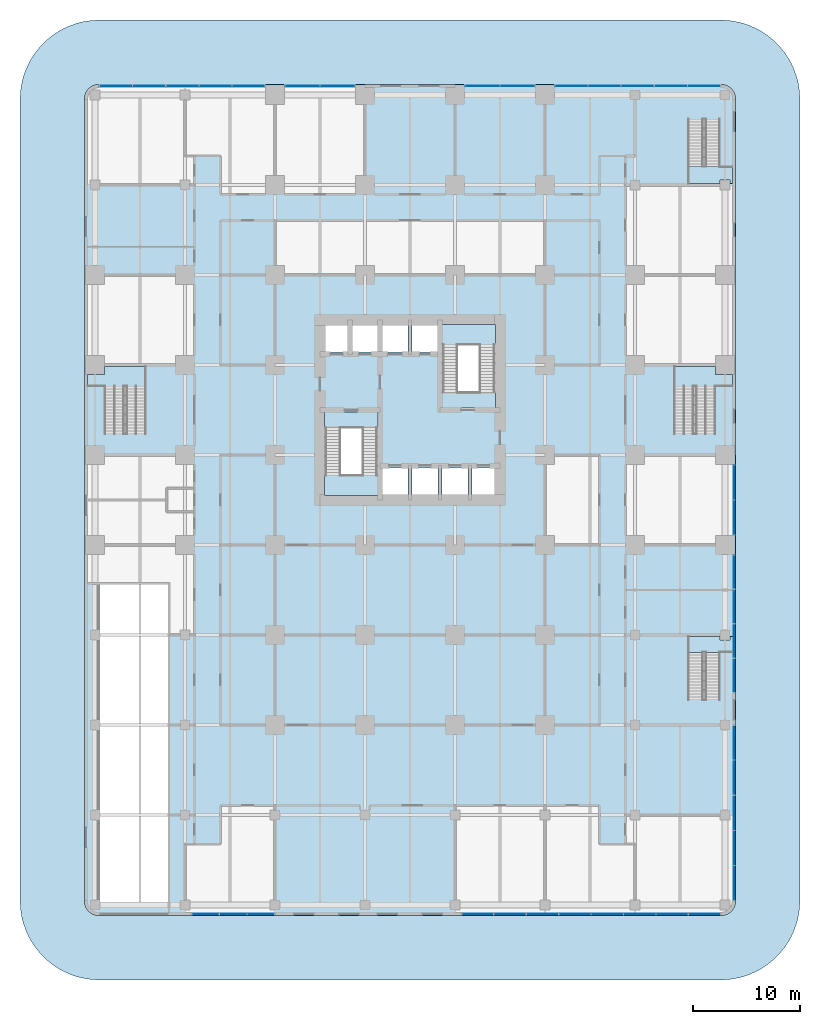
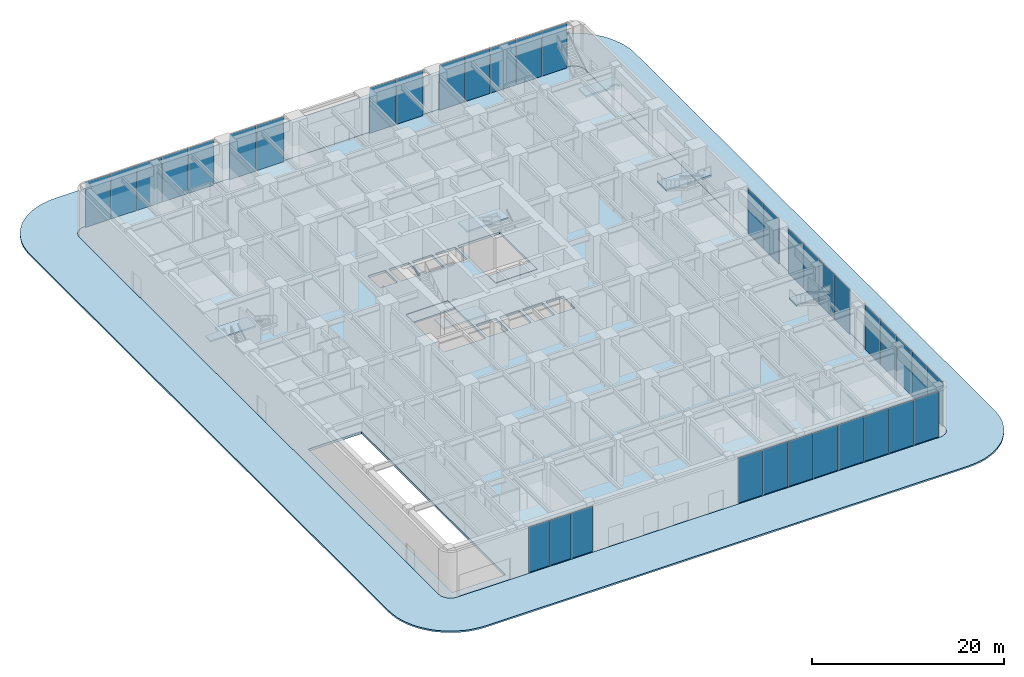
# One storey, part 9 of 21: 36 plates, 10 slabs, 12 elements without a shape of their own.
"""IFC4 building model written with IfcOpenShell, lengths in metres."""

from ifc_helpers import new_model, si_unit, direction, frame, origin, origin_2d, place, context, subcontext, project, spatial, polyline, rectangle, outline, extrude, material, layer, layer_set, type_object, element, aggregate, save


model = new_model("IFC4")

# Units and contexts
model_context = context("Model", 3, precision=1e-05, world=origin(), true_north=direction((0.0, 1.0)))
body_context = subcontext(model_context, "Body", "Model", "MODEL_VIEW")
ifc_project = project(units=[si_unit("LENGTHUNIT", "METRE"), si_unit("AREAUNIT", "SQUARE_METRE"), si_unit("VOLUMEUNIT", "CUBIC_METRE"), si_unit("PLANEANGLEUNIT", "RADIAN"), si_unit("MASSUNIT", "GRAM", prefix="KILO")], contexts=[model_context])

# Site, building, storey
site_placement = place(None, origin())
site = spatial("IfcSite", under=ifc_project, at=site_placement, CompositionType="ELEMENT")
building_placement = place(site_placement, origin())
building = spatial("IfcBuilding", under=site, at=building_placement, Name="Torre Alcanfor", CompositionType="ELEMENT")
storey_placement = place(building_placement, origin())
storey = spatial("IfcBuildingStorey", under=building, at=storey_placement, Name="L00", CompositionType="ELEMENT", Elevation=0.0)

# Curtain wall, plates
ifc_material_1 = material(Name="Aluminium and glass", Category="aluminium")
curtain_wall_type = type_object("IfcCurtainWallType", Name="CW-C ground floor storefront glazing", PredefinedType="NOTDEFINED", material=ifc_material_1)
curtain_wall_1_placement = place(storey_placement, origin())
curtain_wall_1 = element("IfcCurtainWall", 1, at=curtain_wall_1_placement, inside=storey, type_object=curtain_wall_type, Name="Curtain wall CW-C L00 E 1", PredefinedType="NOTDEFINED")
ifc_material_2 = material(Name="Glass", Category="glass")
ifc_layer_1 = layer(ifc_material_2, 0.028076171875)
ifc_layer_set_1 = layer_set([ifc_layer_1], Name="CW-C laminated clear glazed unit")
plate_type = type_object("IfcPlateType", Name="CW-C laminated clear glazed unit", PredefinedType="CURTAIN_PANEL", material=ifc_layer_set_1)
plate_1_placement = place(storey_placement, frame((59.64990234375, -14.74365234375, 0.0), z_axis=(0.0, 0.0, 1.0), x_axis=(0.0, 1.0, 0.0)))
plate_1 = element("IfcPlate", 2, at=plate_1_placement, type_object=plate_type, Name="CW-C panel 1.1", PredefinedType="CURTAIN_PANEL", context=body_context, shape_type="SweptSolid", body=[
    extrude(rectangle(XDim=3.1826171875, YDim=0.028076171875, at=origin_2d()), origin(), (0.0, 0.0, 1.0), 5.735107421875),
])
plate_2_placement = place(storey_placement, frame((59.64990234375, -11.47998046875, 0.0), z_axis=(0.0, 0.0, 1.0), x_axis=(0.0, 1.0, 0.0)))
plate_2 = element("IfcPlate", 3, at=plate_2_placement, type_object=plate_type, Name="CW-C panel 2.1", PredefinedType="CURTAIN_PANEL", context=body_context, shape_type="SweptSolid", body=[
    extrude(rectangle(XDim=3.215087890625, YDim=0.028076171875, at=origin_2d()), origin(), (0.0, 0.0, 1.0), 5.735107421875),
])
plate_3_placement = place(storey_placement, frame((59.64990234375, -8.199951171875, 0.0), z_axis=(0.0, 0.0, 1.0), x_axis=(0.0, 1.0, 0.0)))
plate_3 = element("IfcPlate", 4, at=plate_3_placement, type_object=plate_type, Name="CW-C panel 3.1", PredefinedType="CURTAIN_PANEL", context=body_context, shape_type="SweptSolid", body=[
    extrude(rectangle(XDim=3.215087890625, YDim=0.028076171875, at=origin_2d()), origin(), (0.0, 0.0, 1.0), 5.735107421875),
])
plate_4_placement = place(storey_placement, frame((59.64990234375, -4.919921875, 0.0), z_axis=(0.0, 0.0, 1.0), x_axis=(0.0, 1.0, 0.0)))
plate_4 = element("IfcPlate", 5, at=plate_4_placement, type_object=plate_type, Name="CW-C panel 4.1", PredefinedType="CURTAIN_PANEL", context=body_context, shape_type="SweptSolid", body=[
    extrude(rectangle(XDim=3.215087890625, YDim=0.028076171875, at=origin_2d()), origin(), (0.0, 0.0, 1.0), 5.735107421875),
])
plate_5_placement = place(storey_placement, frame((59.64990234375, -1.65625, 0.0), z_axis=(0.0, 0.0, 1.0), x_axis=(0.0, 1.0, 0.0)))
plate_5 = element("IfcPlate", 6, at=plate_5_placement, type_object=plate_type, Name="CW-C panel 5.1", PredefinedType="CURTAIN_PANEL", context=body_context, shape_type="SweptSolid", body=[
    extrude(rectangle(XDim=3.1826171875, YDim=0.028076171875, at=origin_2d()), origin(), (0.0, 0.0, 1.0), 5.735107421875),
])
aggregate(curtain_wall_1, [plate_1, plate_2, plate_3, plate_4, plate_5])

curtain_wall_2_placement = place(storey_placement, origin())
curtain_wall_2 = element("IfcCurtainWall", 7, at=curtain_wall_2_placement, inside=storey, type_object=curtain_wall_type, Name="Curtain wall CW-C L00 E 3", PredefinedType="NOTDEFINED")
plate_6_placement = place(storey_placement, frame((59.64990234375, 4.628173828125, 0.0), z_axis=(0.0, 0.0, 1.0), x_axis=(0.0, 1.0, 0.0)))
plate_6 = element("IfcPlate", 8, at=plate_6_placement, type_object=plate_type, Name="CW-C panel 1.1.1", PredefinedType="CURTAIN_PANEL", context=body_context, shape_type="SweptSolid", body=[
    extrude(rectangle(XDim=3.126220703125, YDim=0.028076171875, at=origin_2d()), origin(), (0.0, 0.0, 1.0), 5.735107421875),
])
plate_7_placement = place(storey_placement, frame((59.64990234375, 7.835693359375, 0.0), z_axis=(0.0, 0.0, 1.0), x_axis=(0.0, 1.0, 0.0)))
plate_7 = element("IfcPlate", 9, at=plate_7_placement, type_object=plate_type, Name="CW-C panel 1.2.1", PredefinedType="CURTAIN_PANEL", context=body_context, shape_type="SweptSolid", body=[
    extrude(rectangle(XDim=3.15869140625, YDim=0.028076171875, at=origin_2d()), origin(), (0.0, 0.0, 1.0), 5.735107421875),
])
plate_8_placement = place(storey_placement, frame((59.64990234375, 11.059326171875, 0.0), z_axis=(0.0, 0.0, 1.0), x_axis=(0.0, 1.0, 0.0)))
plate_8 = element("IfcPlate", 10, at=plate_8_placement, type_object=plate_type, Name="CW-C panel 1.3.1", PredefinedType="CURTAIN_PANEL", context=body_context, shape_type="SweptSolid", body=[
    extrude(rectangle(XDim=3.15869140625, YDim=0.028076171875, at=origin_2d()), origin(), (0.0, 0.0, 1.0), 5.735107421875),
])
plate_9_placement = place(storey_placement, frame((59.64990234375, 14.266845703125, 0.0), z_axis=(0.0, 0.0, 1.0), x_axis=(0.0, 1.0, 0.0)))
plate_9 = element("IfcPlate", 11, at=plate_9_placement, type_object=plate_type, Name="CW-C panel 1.4.1", PredefinedType="CURTAIN_PANEL", context=body_context, shape_type="SweptSolid", body=[
    extrude(rectangle(XDim=3.126220703125, YDim=0.028076171875, at=origin_2d()), origin(), (0.0, 0.0, 1.0), 5.735107421875),
])
plate_10_placement = place(storey_placement, frame((59.64990234375, 19.36865234375, 0.0), z_axis=(0.0, 0.0, 1.0), x_axis=(0.0, 1.0, 0.0)))
plate_10 = element("IfcPlate", 12, at=plate_10_placement, type_object=plate_type, Name="CW-C panel 2.1.1", PredefinedType="CURTAIN_PANEL", context=body_context, shape_type="SweptSolid", body=[
    extrude(rectangle(XDim=3.197509765625, YDim=0.028076171875, at=origin_2d()), origin(), (0.0, 0.0, 1.0), 5.735107421875),
])
plate_11_placement = place(storey_placement, frame((59.64990234375, 22.63134765625, 0.0), z_axis=(0.0, 0.0, 1.0), x_axis=(0.0, 1.0, 0.0)))
plate_11 = element("IfcPlate", 13, at=plate_11_placement, type_object=plate_type, Name="CW-C panel 2.2.1", PredefinedType="CURTAIN_PANEL", context=body_context, shape_type="SweptSolid", body=[
    extrude(rectangle(XDim=3.197509765625, YDim=0.028076171875, at=origin_2d()), origin(), (0.0, 0.0, 1.0), 5.735107421875),
])
aggregate(curtain_wall_2, [plate_6, plate_7, plate_8, plate_9, plate_10, plate_11])

curtain_wall_3_placement = place(storey_placement, origin())
curtain_wall_3 = element("IfcCurtainWall", 14, at=curtain_wall_3_placement, inside=storey, type_object=curtain_wall_type, Name="Curtain wall CW-C L00 N 1", PredefinedType="NOTDEFINED")
plate_12_placement = place(storey_placement, frame((22.63134765625, 59.64990234375, 0.0), z_axis=(0.0, 0.0, 1.0), x_axis=(-1.0, 0.0, 0.0)))
plate_12 = element("IfcPlate", 15, at=plate_12_placement, type_object=plate_type, Name="CW-C panel 1.1.1", PredefinedType="CURTAIN_PANEL", context=body_context, shape_type="SweptSolid", body=[
    extrude(rectangle(XDim=3.197509765625, YDim=0.028076171875, at=origin_2d()), origin(), (0.0, 0.0, 1.0), 5.735107421875),
])
plate_13_placement = place(storey_placement, frame((19.36865234375, 59.64990234375, 0.0), z_axis=(0.0, 0.0, 1.0), x_axis=(-1.0, 0.0, 0.0)))
plate_13 = element("IfcPlate", 16, at=plate_13_placement, type_object=plate_type, Name="CW-C panel 1.2.1", PredefinedType="CURTAIN_PANEL", context=body_context, shape_type="SweptSolid", body=[
    extrude(rectangle(XDim=3.197509765625, YDim=0.028076171875, at=origin_2d()), origin(), (0.0, 0.0, 1.0), 5.735107421875),
])
plate_14_placement = place(storey_placement, frame((14.329345703125, 59.64990234375, 0.0), z_axis=(0.0, 0.0, 1.0), x_axis=(-1.0, 0.0, 0.0)))
plate_14 = element("IfcPlate", 17, at=plate_14_placement, type_object=plate_type, Name="CW-C panel 2.1.1", PredefinedType="CURTAIN_PANEL", context=body_context, shape_type="SweptSolid", body=[
    extrude(rectangle(XDim=3.00146484375, YDim=0.028076171875, at=origin_2d()), origin(), (0.0, 0.0, 1.0), 5.735107421875),
])
plate_15_placement = place(storey_placement, frame((11.24658203125, 59.64990234375, 0.0), z_axis=(0.0, 0.0, 1.0), x_axis=(-1.0, 0.0, 0.0)))
plate_15 = element("IfcPlate", 18, at=plate_15_placement, type_object=plate_type, Name="CW-C panel 2.2.1", PredefinedType="CURTAIN_PANEL", context=body_context, shape_type="SweptSolid", body=[
    extrude(rectangle(XDim=3.033935546875, YDim=0.028076171875, at=origin_2d()), origin(), (0.0, 0.0, 1.0), 5.735107421875),
])
plate_16_placement = place(storey_placement, frame((8.1474609375, 59.64990234375, 0.0), z_axis=(0.0, 0.0, 1.0), x_axis=(-1.0, 0.0, 0.0)))
plate_16 = element("IfcPlate", 19, at=plate_16_placement, type_object=plate_type, Name="CW-C panel 2.3.1", PredefinedType="CURTAIN_PANEL", context=body_context, shape_type="SweptSolid", body=[
    extrude(rectangle(XDim=3.033935546875, YDim=0.028076171875, at=origin_2d()), origin(), (0.0, 0.0, 1.0), 5.735107421875),
])
plate_17_placement = place(storey_placement, frame((5.048583984375, 59.64990234375, 0.0), z_axis=(0.0, 0.0, 1.0), x_axis=(-1.0, 0.0, 0.0)))
plate_17 = element("IfcPlate", 20, at=plate_17_placement, type_object=plate_type, Name="CW-C panel 2.4.1", PredefinedType="CURTAIN_PANEL", context=body_context, shape_type="SweptSolid", body=[
    extrude(rectangle(XDim=3.033935546875, YDim=0.028076171875, at=origin_2d()), origin(), (0.0, 0.0, 1.0), 5.735107421875),
])
plate_18_placement = place(storey_placement, frame((1.9658203125, 59.64990234375, 0.0), z_axis=(0.0, 0.0, 1.0), x_axis=(-1.0, 0.0, 0.0)))
plate_18 = element("IfcPlate", 21, at=plate_18_placement, type_object=plate_type, Name="CW-C panel 2.5.1", PredefinedType="CURTAIN_PANEL", context=body_context, shape_type="SweptSolid", body=[
    extrude(rectangle(XDim=3.00146484375, YDim=0.028076171875, at=origin_2d()), origin(), (0.0, 0.0, 1.0), 5.735107421875),
])
aggregate(curtain_wall_3, [plate_12, plate_13, plate_14, plate_15, plate_16, plate_17, plate_18])

curtain_wall_4_placement = place(storey_placement, origin())
curtain_wall_4 = element("IfcCurtainWall", 22, at=curtain_wall_4_placement, inside=storey, type_object=curtain_wall_type, Name="Curtain wall CW-C L00 N 3", PredefinedType="NOTDEFINED")
plate_19_placement = place(storey_placement, frame((56.834228515625, 59.64990234375, 0.0), z_axis=(0.0, 0.0, 1.0), x_axis=(-1.0, 0.0, 0.0)))
plate_19 = element("IfcPlate", 23, at=plate_19_placement, type_object=plate_type, Name="CW-C panel 1.1.1", PredefinedType="CURTAIN_PANEL", context=body_context, shape_type="SweptSolid", body=[
    extrude(rectangle(XDim=3.00146484375, YDim=0.028076171875, at=origin_2d()), origin(), (0.0, 0.0, 1.0), 5.735107421875),
])
plate_20_placement = place(storey_placement, frame((53.75146484375, 59.64990234375, 0.0), z_axis=(0.0, 0.0, 1.0), x_axis=(-1.0, 0.0, 0.0)))
plate_20 = element("IfcPlate", 24, at=plate_20_placement, type_object=plate_type, Name="CW-C panel 1.2.1", PredefinedType="CURTAIN_PANEL", context=body_context, shape_type="SweptSolid", body=[
    extrude(rectangle(XDim=3.033935546875, YDim=0.028076171875, at=origin_2d()), origin(), (0.0, 0.0, 1.0), 5.735107421875),
])
plate_21_placement = place(storey_placement, frame((50.652587890625, 59.64990234375, 0.0), z_axis=(0.0, 0.0, 1.0), x_axis=(-1.0, 0.0, 0.0)))
plate_21 = element("IfcPlate", 25, at=plate_21_placement, type_object=plate_type, Name="CW-C panel 1.3.1", PredefinedType="CURTAIN_PANEL", context=body_context, shape_type="SweptSolid", body=[
    extrude(rectangle(XDim=3.033935546875, YDim=0.028076171875, at=origin_2d()), origin(), (0.0, 0.0, 1.0), 5.735107421875),
])
plate_22_placement = place(storey_placement, frame((47.553466796875, 59.64990234375, 0.0), z_axis=(0.0, 0.0, 1.0), x_axis=(-1.0, 0.0, 0.0)))
plate_22 = element("IfcPlate", 26, at=plate_22_placement, type_object=plate_type, Name="CW-C panel 1.4.1", PredefinedType="CURTAIN_PANEL", context=body_context, shape_type="SweptSolid", body=[
    extrude(rectangle(XDim=3.033935546875, YDim=0.028076171875, at=origin_2d()), origin(), (0.0, 0.0, 1.0), 5.735107421875),
])
plate_23_placement = place(storey_placement, frame((44.470703125, 59.64990234375, 0.0), z_axis=(0.0, 0.0, 1.0), x_axis=(-1.0, 0.0, 0.0)))
plate_23 = element("IfcPlate", 27, at=plate_23_placement, type_object=plate_type, Name="CW-C panel 1.5.1", PredefinedType="CURTAIN_PANEL", context=body_context, shape_type="SweptSolid", body=[
    extrude(rectangle(XDim=3.00146484375, YDim=0.028076171875, at=origin_2d()), origin(), (0.0, 0.0, 1.0), 5.735107421875),
])
plate_24_placement = place(storey_placement, frame((39.43115234375, 59.64990234375, 0.0), z_axis=(0.0, 0.0, 1.0), x_axis=(-1.0, 0.0, 0.0)))
plate_24 = element("IfcPlate", 28, at=plate_24_placement, type_object=plate_type, Name="CW-C panel 2.1.1", PredefinedType="CURTAIN_PANEL", context=body_context, shape_type="SweptSolid", body=[
    extrude(rectangle(XDim=3.197509765625, YDim=0.028076171875, at=origin_2d()), origin(), (0.0, 0.0, 1.0), 5.735107421875),
])
plate_25_placement = place(storey_placement, frame((36.168701171875, 59.64990234375, 0.0), z_axis=(0.0, 0.0, 1.0), x_axis=(-1.0, 0.0, 0.0)))
plate_25 = element("IfcPlate", 29, at=plate_25_placement, type_object=plate_type, Name="CW-C panel 2.2.1", PredefinedType="CURTAIN_PANEL", context=body_context, shape_type="SweptSolid", body=[
    extrude(rectangle(XDim=3.197509765625, YDim=0.028076171875, at=origin_2d()), origin(), (0.0, 0.0, 1.0), 5.735107421875),
])
aggregate(curtain_wall_4, [plate_19, plate_20, plate_21, plate_22, plate_23, plate_24, plate_25])

curtain_wall_5_placement = place(storey_placement, origin())
curtain_wall_5 = element("IfcCurtainWall", 30, at=curtain_wall_5_placement, inside=storey, type_object=curtain_wall_type, Name="Curtain wall CW-C L00 S 2", PredefinedType="NOTDEFINED")
plate_26_placement = place(storey_placement, frame((10.316162109375, -17.64990234375, 0.0), z_axis=(0.0, 0.0, 1.0), x_axis=(1.0, 0.0, 0.0)))
plate_26 = element("IfcPlate", 31, at=plate_26_placement, type_object=plate_type, Name="CW-C panel 1.1", PredefinedType="CURTAIN_PANEL", context=body_context, shape_type="SweptSolid", body=[
    extrude(rectangle(XDim=2.50244140625, YDim=0.028076171875, at=origin_2d()), origin(), (0.0, 0.0, 1.0), 5.735107421875),
])
plate_27_placement = place(storey_placement, frame((12.89990234375, -17.64990234375, 0.0), z_axis=(0.0, 0.0, 1.0), x_axis=(1.0, 0.0, 0.0)))
plate_27 = element("IfcPlate", 32, at=plate_27_placement, type_object=plate_type, Name="CW-C panel 2.1", PredefinedType="CURTAIN_PANEL", context=body_context, shape_type="SweptSolid", body=[
    extrude(rectangle(XDim=2.534912109375, YDim=0.028076171875, at=origin_2d()), origin(), (0.0, 0.0, 1.0), 5.735107421875),
])
plate_28_placement = place(storey_placement, frame((15.483642578125, -17.64990234375, 0.0), z_axis=(0.0, 0.0, 1.0), x_axis=(1.0, 0.0, 0.0)))
plate_28 = element("IfcPlate", 33, at=plate_28_placement, type_object=plate_type, Name="CW-C panel 3.1", PredefinedType="CURTAIN_PANEL", context=body_context, shape_type="SweptSolid", body=[
    extrude(rectangle(XDim=2.50244140625, YDim=0.028076171875, at=origin_2d()), origin(), (0.0, 0.0, 1.0), 5.735107421875),
])
aggregate(curtain_wall_5, [plate_26, plate_27, plate_28])

curtain_wall_6_placement = place(storey_placement, origin())
curtain_wall_6 = element("IfcCurtainWall", 34, at=curtain_wall_6_placement, inside=storey, type_object=curtain_wall_type, Name="Curtain wall CW-C L00 S 4", PredefinedType="NOTDEFINED")
plate_29_placement = place(storey_placement, frame((35.728759765625, -17.64990234375, 0.0), z_axis=(0.0, 0.0, 1.0), x_axis=(1.0, 0.0, 0.0)))
plate_29 = element("IfcPlate", 35, at=plate_29_placement, type_object=plate_type, Name="CW-C panel 1.1", PredefinedType="CURTAIN_PANEL", context=body_context, shape_type="SweptSolid", body=[
    extrude(rectangle(XDim=2.927490234375, YDim=0.028076171875, at=origin_2d()), origin(), (0.0, 0.0, 1.0), 5.735107421875),
])
plate_30_placement = place(storey_placement, frame((38.737548828125, -17.64990234375, 0.0), z_axis=(0.0, 0.0, 1.0), x_axis=(1.0, 0.0, 0.0)))
plate_30 = element("IfcPlate", 36, at=plate_30_placement, type_object=plate_type, Name="CW-C panel 2.1", PredefinedType="CURTAIN_PANEL", context=body_context, shape_type="SweptSolid", body=[
    extrude(rectangle(XDim=2.9599609375, YDim=0.028076171875, at=origin_2d()), origin(), (0.0, 0.0, 1.0), 5.735107421875),
])
plate_31_placement = place(storey_placement, frame((41.762451171875, -17.64990234375, 0.0), z_axis=(0.0, 0.0, 1.0), x_axis=(1.0, 0.0, 0.0)))
plate_31 = element("IfcPlate", 37, at=plate_31_placement, type_object=plate_type, Name="CW-C panel 3.1", PredefinedType="CURTAIN_PANEL", context=body_context, shape_type="SweptSolid", body=[
    extrude(rectangle(XDim=2.9599609375, YDim=0.028076171875, at=origin_2d()), origin(), (0.0, 0.0, 1.0), 5.735107421875),
])
plate_32_placement = place(storey_placement, frame((44.78759765625, -17.64990234375, 0.0), z_axis=(0.0, 0.0, 1.0), x_axis=(1.0, 0.0, 0.0)))
plate_32 = element("IfcPlate", 38, at=plate_32_placement, type_object=plate_type, Name="CW-C panel 4.1", PredefinedType="CURTAIN_PANEL", context=body_context, shape_type="SweptSolid", body=[
    extrude(rectangle(XDim=2.9599609375, YDim=0.028076171875, at=origin_2d()), origin(), (0.0, 0.0, 1.0), 5.735107421875),
])
plate_33_placement = place(storey_placement, frame((47.8125, -17.64990234375, 0.0), z_axis=(0.0, 0.0, 1.0), x_axis=(1.0, 0.0, 0.0)))
plate_33 = element("IfcPlate", 39, at=plate_33_placement, type_object=plate_type, Name="CW-C panel 5.1", PredefinedType="CURTAIN_PANEL", context=body_context, shape_type="SweptSolid", body=[
    extrude(rectangle(XDim=2.9599609375, YDim=0.028076171875, at=origin_2d()), origin(), (0.0, 0.0, 1.0), 5.735107421875),
])
plate_34_placement = place(storey_placement, frame((50.83740234375, -17.64990234375, 0.0), z_axis=(0.0, 0.0, 1.0), x_axis=(1.0, 0.0, 0.0)))
plate_34 = element("IfcPlate", 40, at=plate_34_placement, type_object=plate_type, Name="CW-C panel 6.1", PredefinedType="CURTAIN_PANEL", context=body_context, shape_type="SweptSolid", body=[
    extrude(rectangle(XDim=2.9599609375, YDim=0.028076171875, at=origin_2d()), origin(), (0.0, 0.0, 1.0), 5.735107421875),
])
plate_35_placement = place(storey_placement, frame((53.862548828125, -17.64990234375, 0.0), z_axis=(0.0, 0.0, 1.0), x_axis=(1.0, 0.0, 0.0)))
plate_35 = element("IfcPlate", 41, at=plate_35_placement, type_object=plate_type, Name="CW-C panel 7.1", PredefinedType="CURTAIN_PANEL", context=body_context, shape_type="SweptSolid", body=[
    extrude(rectangle(XDim=2.9599609375, YDim=0.028076171875, at=origin_2d()), origin(), (0.0, 0.0, 1.0), 5.735107421875),
])
plate_36_placement = place(storey_placement, frame((56.871337890625, -17.64990234375, 0.0), z_axis=(0.0, 0.0, 1.0), x_axis=(1.0, 0.0, 0.0)))
plate_36 = element("IfcPlate", 42, at=plate_36_placement, type_object=plate_type, Name="CW-C panel 8.1", PredefinedType="CURTAIN_PANEL", context=body_context, shape_type="SweptSolid", body=[
    extrude(rectangle(XDim=2.927490234375, YDim=0.028076171875, at=origin_2d()), origin(), (0.0, 0.0, 1.0), 5.735107421875),
])
aggregate(curtain_wall_6, [plate_29, plate_30, plate_31, plate_32, plate_33, plate_34, plate_35, plate_36])

# Slabs
ifc_material_3 = material(Name="Concrete f'c 35 MPa", Category="concrete")
ifc_layer_2 = layer(ifc_material_3, 0.300048828125)
ifc_layer_set_2 = layer_set([ifc_layer_2], Name="Floor slab 300")
slab_type_1 = type_object("IfcSlabType", Name="Floor slab 300", PredefinedType="FLOOR", material=ifc_layer_set_2)
slab_1_placement = place(storey_placement, frame((0.0, 0.0, -0.300048828125)))
element("IfcSlab", 43, at=slab_1_placement, inside=storey, type_object=slab_type_1, Name="Floor slab L00", PredefinedType="FLOOR", context=body_context, shape_type="SweptSolid", body=[
    extrude(outline(polyline([(58.39990234375, -17.800048828125), (58.76220703125, -17.752197265625), (59.10009765625, -17.6123046875), (59.389892578125, -17.389892578125), (59.6123046875, -17.10009765625), (59.752197265625, -16.76220703125), (59.800048828125, -16.39990234375), (59.800048828125, 58.39990234375), (59.752197265625, 58.76220703125), (59.6123046875, 59.10009765625), (59.389892578125, 59.389892578125), (59.10009765625, 59.6123046875), (58.76220703125, 59.752197265625), (58.39990234375, 59.800048828125), (0.39990234375, 59.800048828125), (0.03759765625, 59.752197265625), (-0.300048828125, 59.6123046875), (-0.58984375, 59.389892578125), (-0.8125, 59.10009765625), (-0.952392578125, 58.76220703125), (-1.0, 58.39990234375), (-1.0, -16.39990234375), (-0.952392578125, -16.76220703125), (-0.8125, -17.10009765625), (-0.58984375, -17.389892578125), (-0.300048828125, -17.6123046875), (0.03759765625, -17.752197265625), (0.39990234375, -17.800048828125), (58.39990234375, -17.800048828125)]), holes=[polyline([(21.419921875, 21.419921875), (26.47998046875, 21.419921875), (26.47998046875, 29.280029296875), (21.419921875, 29.280029296875), (21.419921875, 21.419921875)]), polyline([(32.320068359375, 29.52001953125), (37.3798828125, 29.52001953125), (37.3798828125, 37.3798828125), (32.320068359375, 37.3798828125), (32.320068359375, 29.52001953125)]), polyline([(26.800048828125, 21.5), (29.199951171875, 21.5), (29.199951171875, 24.0), (26.800048828125, 24.0), (26.800048828125, 21.5)]), polyline([(29.60009765625, 21.5), (32.0, 21.5), (32.0, 24.0), (29.60009765625, 24.0), (29.60009765625, 21.5)]), polyline([(32.39990234375, 21.5), (34.800048828125, 21.5), (34.800048828125, 24.0), (32.39990234375, 24.0), (32.39990234375, 21.5)]), polyline([(35.199951171875, 21.5), (37.300048828125, 21.5), (37.300048828125, 24.0), (35.199951171875, 24.0), (35.199951171875, 21.5)]), polyline([(21.5, 34.800048828125), (23.60009765625, 34.800048828125), (23.60009765625, 37.300048828125), (21.5, 37.300048828125), (21.5, 34.800048828125)]), polyline([(24.0, 34.800048828125), (26.39990234375, 34.800048828125), (26.39990234375, 37.300048828125), (24.0, 37.300048828125), (24.0, 34.800048828125)]), polyline([(26.800048828125, 34.800048828125), (29.199951171875, 34.800048828125), (29.199951171875, 37.300048828125), (26.800048828125, 37.300048828125), (26.800048828125, 34.800048828125)]), polyline([(29.60009765625, 34.800048828125), (32.0, 34.800048828125), (32.0, 37.300048828125), (29.60009765625, 37.300048828125), (29.60009765625, 34.800048828125)]), polyline([(0.39990234375, -16.800048828125), (6.800048828125, -16.800048828125), (6.800048828125, 13.199951171875), (0.39990234375, 13.199951171875), (0.39990234375, -16.800048828125)])]), origin(), (0.0, 0.0, 1.0), 0.300048828125),
])
ifc_material_4 = material(Name="Granite setts", Category="masonry")
ifc_layer_3 = layer(ifc_material_4, 0.10009765625, Name="Finish")
ifc_material_5 = material(Name="Concrete f'c 35 MPa", Category="concrete")
ifc_layer_4 = layer(ifc_material_5, 0.10009765625, Name="Base")
ifc_layer_set_3 = layer_set([ifc_layer_3, ifc_layer_4], Name="Paving granite setts 200")
slab_type_2 = type_object("IfcSlabType", Name="Paving granite setts 200", PredefinedType="USERDEFINED", material=ifc_layer_set_3)
slab_2_placement = place(storey_placement, frame((0.0, 0.0, -0.199951171875)))
element("IfcSlab", 44, at=slab_2_placement, inside=storey, type_object=slab_type_2, Name="Forecourt paving", ObjectType="PAVING", PredefinedType="USERDEFINED", context=body_context, shape_type="SweptSolid", body=[
    extrude(outline(polyline([(58.39990234375, -23.800048828125), (0.39990234375, -23.800048828125), (-0.38330078125, -23.748779296875), (-1.260986328125, -23.610107421875), (-1.7666015625, -23.474609375), (-2.2587890625, -23.29541015625), (-3.07080078125, -22.934326171875), (-3.5244140625, -22.672607421875), (-3.953125, -22.3720703125), (-4.6435546875, -21.8134765625), (-5.013427734375, -21.443603515625), (-5.572021484375, -20.753173828125), (-5.87255859375, -20.32421875), (-6.13427734375, -19.870849609375), (-6.355712890625, -19.396484375), (-6.674560546875, -18.566650390625), (-6.81005859375, -18.06103515625), (-6.90087890625, -17.54541015625), (-6.94873046875, -17.18310546875), (-7.0, -16.39990234375), (-7.0, 58.39990234375), (-6.94873046875, 59.18310546875), (-6.81005859375, 60.06103515625), (-6.674560546875, 60.566650390625), (-6.49560546875, 61.05859375), (-6.13427734375, 61.870849609375), (-5.87255859375, 62.32421875), (-5.572021484375, 62.753173828125), (-5.013427734375, 63.443603515625), (-4.6435546875, 63.8134765625), (-3.953125, 64.3720703125), (-3.5244140625, 64.672607421875), (-3.07080078125, 64.934326171875), (-2.596435546875, 65.155517578125), (-1.7666015625, 65.474609375), (-1.260986328125, 65.610107421875), (-0.74560546875, 65.700927734375), (-0.38330078125, 65.748779296875), (0.39990234375, 65.800048828125), (58.39990234375, 65.800048828125), (59.18310546875, 65.748779296875), (60.06103515625, 65.610107421875), (60.566650390625, 65.474609375), (61.05859375, 65.29541015625), (61.870849609375, 64.934326171875), (62.32421875, 64.672607421875), (62.753173828125, 64.3720703125), (63.443603515625, 63.8134765625), (63.8134765625, 63.443603515625), (64.3720703125, 62.753173828125), (64.672607421875, 62.32421875), (64.934326171875, 61.870849609375), (65.155517578125, 61.396484375), (65.474609375, 60.566650390625), (65.610107421875, 60.06103515625), (65.700927734375, 59.54541015625), (65.748779296875, 59.18310546875), (65.800048828125, 58.39990234375), (65.800048828125, -16.39990234375), (65.748779296875, -17.18310546875), (65.610107421875, -18.06103515625), (65.474609375, -18.566650390625), (65.155517578125, -19.396484375), (64.934326171875, -19.870849609375), (64.672607421875, -20.32421875), (64.3720703125, -20.753173828125), (63.8134765625, -21.443603515625), (63.443603515625, -21.8134765625), (62.753173828125, -22.3720703125), (62.32421875, -22.672607421875), (61.870849609375, -22.934326171875), (61.05859375, -23.29541015625), (60.566650390625, -23.474609375), (60.06103515625, -23.610107421875), (59.18310546875, -23.748779296875), (58.39990234375, -23.800048828125)]), holes=[polyline([(58.39990234375, -17.800048828125), (58.76220703125, -17.752197265625), (59.10009765625, -17.6123046875), (59.389892578125, -17.389892578125), (59.6123046875, -17.10009765625), (59.752197265625, -16.76220703125), (59.800048828125, -16.39990234375), (59.800048828125, 58.39990234375), (59.752197265625, 58.76220703125), (59.6123046875, 59.10009765625), (59.389892578125, 59.389892578125), (59.10009765625, 59.6123046875), (58.76220703125, 59.752197265625), (58.39990234375, 59.800048828125), (0.39990234375, 59.800048828125), (0.03759765625, 59.752197265625), (-0.300048828125, 59.6123046875), (-0.58984375, 59.389892578125), (-0.8125, 59.10009765625), (-0.952392578125, 58.76220703125), (-1.0, 58.39990234375), (-1.0, -16.39990234375), (-0.952392578125, -16.76220703125), (-0.8125, -17.10009765625), (-0.58984375, -17.389892578125), (-0.300048828125, -17.6123046875), (0.03759765625, -17.752197265625), (0.39990234375, -17.800048828125), (58.39990234375, -17.800048828125)])]), origin(), (0.0, 0.0, 1.0), 0.199951171875),
])

# Stair, slabs
ifc_material_6 = material(Name="Concrete f'c 35 MPa", Category="concrete")
stair_type_1 = type_object("IfcStairType", Name="Exit stair S1 1400 wide", PredefinedType="HALF_TURN_STAIR", material=ifc_material_6)
stair_1_placement = place(storey_placement, origin())
stair_1 = element("IfcStair", 45, at=stair_1_placement, inside=storey, type_object=stair_type_1, Name="Stair S1 L00 to L01", PredefinedType="HALF_TURN_STAIR")
ifc_material_7 = material(Name="Concrete f'c 35 MPa", Category="concrete")
ifc_layer_5 = layer(ifc_material_7, 0.199951171875)
ifc_layer_set_4 = layer_set([ifc_layer_5], Name="Stair landing 200")
slab_type_3 = type_object("IfcSlabType", Name="Stair landing 200", PredefinedType="LANDING", material=ifc_layer_set_4)
slab_3_placement = place(storey_placement, frame((0.0, 0.0, -0.199951171875)))
slab_3 = element("IfcSlab", 46, at=slab_3_placement, type_object=slab_type_3, Name="S1 landing 1", PredefinedType="LANDING", context=body_context, shape_type="SweptSolid", body=[
    extrude(outline(polyline([(21.419921875, 27.699951171875), (26.429931640625, 27.699951171875), (26.429931640625, 29.22998046875), (21.419921875, 29.22998046875), (21.419921875, 27.699951171875)])), origin(), (0.0, 0.0, 1.0), 0.199951171875),
])
slab_4_placement = place(storey_placement, frame((0.0, 0.0, 2.800048828125)))
slab_4 = element("IfcSlab", 47, at=slab_4_placement, type_object=slab_type_3, Name="S1 landing 2", PredefinedType="LANDING", context=body_context, shape_type="SweptSolid", body=[
    extrude(outline(polyline([(21.419921875, 21.419921875), (26.429931640625, 21.419921875), (26.429931640625, 23.320068359375), (21.419921875, 23.320068359375), (21.419921875, 21.419921875)])), origin(), (0.0, 0.0, 1.0), 0.199951171875),
])
aggregate(stair_1, [slab_3, slab_4])

ifc_material_8 = material(Name="Concrete f'c 35 MPa", Category="concrete")
stair_type_2 = type_object("IfcStairType", Name="Exit stair S2 1400 wide", PredefinedType="HALF_TURN_STAIR", material=ifc_material_8)
stair_2_placement = place(storey_placement, origin())
stair_2 = element("IfcStair", 48, at=stair_2_placement, inside=storey, type_object=stair_type_2, Name="Stair S2 L00 to L01", PredefinedType="HALF_TURN_STAIR")
slab_5_placement = place(storey_placement, frame((0.0, 0.0, -0.199951171875)))
slab_5 = element("IfcSlab", 49, at=slab_5_placement, type_object=slab_type_3, Name="S2 landing 1", PredefinedType="LANDING", context=body_context, shape_type="SweptSolid", body=[
    extrude(outline(polyline([(32.3701171875, 29.570068359375), (37.3798828125, 29.570068359375), (37.3798828125, 31.10009765625), (32.3701171875, 31.10009765625), (32.3701171875, 29.570068359375)])), origin(), (0.0, 0.0, 1.0), 0.199951171875),
])
slab_6_placement = place(storey_placement, frame((0.0, 0.0, 2.800048828125)))
slab_6 = element("IfcSlab", 50, at=slab_6_placement, type_object=slab_type_3, Name="S2 landing 2", PredefinedType="LANDING", context=body_context, shape_type="SweptSolid", body=[
    extrude(outline(polyline([(32.3701171875, 35.47998046875), (37.3798828125, 35.47998046875), (37.3798828125, 37.3798828125), (32.3701171875, 37.3798828125), (32.3701171875, 35.47998046875)])), origin(), (0.0, 0.0, 1.0), 0.199951171875),
])
aggregate(stair_2, [slab_5, slab_6])

# Stair, slab
ifc_material_9 = material(Name="Concrete f'c 35 MPa", Category="concrete")
stair_type_3 = type_object("IfcStairType", Name="Exit stair SS1 1830 wide", PredefinedType="HALF_TURN_STAIR", material=ifc_material_9)
stair_3_placement = place(storey_placement, origin())
stair_3 = element("IfcStair", 51, at=stair_3_placement, inside=storey, type_object=stair_type_3, Name="Stair SS1 L00 to L01", PredefinedType="HALF_TURN_STAIR")
slab_7_placement = place(storey_placement, frame((0.0, 0.0, 2.800048828125)))
slab_7 = element("IfcSlab", 52, at=slab_7_placement, type_object=slab_type_3, Name="SS1 landing 1", PredefinedType="LANDING", context=body_context, shape_type="SweptSolid", body=[
    extrude(outline(polyline([(4.760009765625, 33.465087890625), (4.760009765625, 31.5849609375), (-0.699951171875, 31.5849609375), (-0.699951171875, 32.699951171875), (0.89990234375, 32.699951171875), (0.89990234375, 33.465087890625), (4.760009765625, 33.465087890625)])), origin(), (0.0, 0.0, 1.0), 0.199951171875),
])
aggregate(stair_3, [slab_7])

ifc_material_10 = material(Name="Concrete f'c 35 MPa", Category="concrete")
stair_type_4 = type_object("IfcStairType", Name="Exit stair SS2 1830 wide", PredefinedType="HALF_TURN_STAIR", material=ifc_material_10)
stair_4_placement = place(storey_placement, origin())
stair_4 = element("IfcStair", 53, at=stair_4_placement, inside=storey, type_object=stair_type_4, Name="Stair SS2 L00 to L01", PredefinedType="HALF_TURN_STAIR")
slab_8_placement = place(storey_placement, frame((0.0, 0.0, 2.800048828125)))
slab_8 = element("IfcSlab", 54, at=slab_8_placement, type_object=slab_type_3, Name="SS2 landing 1", PredefinedType="LANDING", context=body_context, shape_type="SweptSolid", body=[
    extrude(outline(polyline([(59.5, 31.5849609375), (54.0400390625, 31.5849609375), (54.0400390625, 33.465087890625), (57.89990234375, 33.465087890625), (57.89990234375, 32.699951171875), (59.5, 32.699951171875), (59.5, 31.5849609375)])), origin(), (0.0, 0.0, 1.0), 0.199951171875),
])
aggregate(stair_4, [slab_8])

ifc_material_11 = material(Name="Concrete f'c 35 MPa", Category="concrete")
stair_type_5 = type_object("IfcStairType", Name="Exit stair SS3 1400 wide", PredefinedType="HALF_TURN_STAIR", material=ifc_material_11)
stair_5_placement = place(storey_placement, origin())
stair_5 = element("IfcStair", 55, at=stair_5_placement, inside=storey, type_object=stair_type_5, Name="Stair SS3 L00 to L01", PredefinedType="HALF_TURN_STAIR")
slab_9_placement = place(storey_placement, frame((0.0, 0.0, 2.800048828125)))
slab_9 = element("IfcSlab", 56, at=slab_9_placement, type_object=slab_type_3, Name="SS3 landing 1", PredefinedType="LANDING", context=body_context, shape_type="SweptSolid", body=[
    extrude(outline(polyline([(59.5, 8.264892578125), (59.5, 6.7548828125), (55.35009765625, 6.7548828125), (55.35009765625, 8.264892578125), (58.35009765625, 8.264892578125), (58.35009765625, 7.949951171875), (59.25, 7.949951171875), (59.25, 8.264892578125), (59.5, 8.264892578125)])), origin(), (0.0, 0.0, 1.0), 0.199951171875),
])
aggregate(stair_5, [slab_9])

ifc_material_12 = material(Name="Concrete f'c 35 MPa", Category="concrete")
stair_type_6 = type_object("IfcStairType", Name="Exit stair SS4 1400 wide", PredefinedType="HALF_TURN_STAIR", material=ifc_material_12)
stair_6_placement = place(storey_placement, origin())
stair_6 = element("IfcStair", 57, at=stair_6_placement, inside=storey, type_object=stair_type_6, Name="Stair SS4 L00 to L01", PredefinedType="HALF_TURN_STAIR")
slab_10_placement = place(storey_placement, frame((0.0, 0.0, 2.800048828125)))
slab_10 = element("IfcSlab", 58, at=slab_10_placement, type_object=slab_type_3, Name="SS4 landing 1", PredefinedType="LANDING", context=body_context, shape_type="SweptSolid", body=[
    extrude(outline(polyline([(55.35009765625, 50.5400390625), (55.35009765625, 52.14501953125), (59.5, 52.14501953125), (59.5, 50.5400390625), (59.25, 50.5400390625), (59.25, 50.85009765625), (58.35009765625, 50.85009765625), (58.35009765625, 50.5400390625), (55.35009765625, 50.5400390625)])), origin(), (0.0, 0.0, 1.0), 0.199951171875),
])
aggregate(stair_6, [slab_10])

save(model, "model.ifc")
